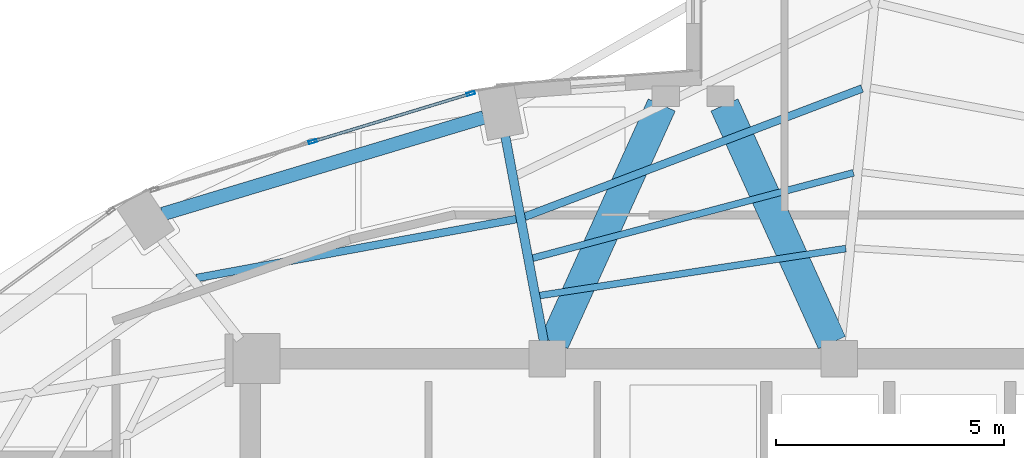
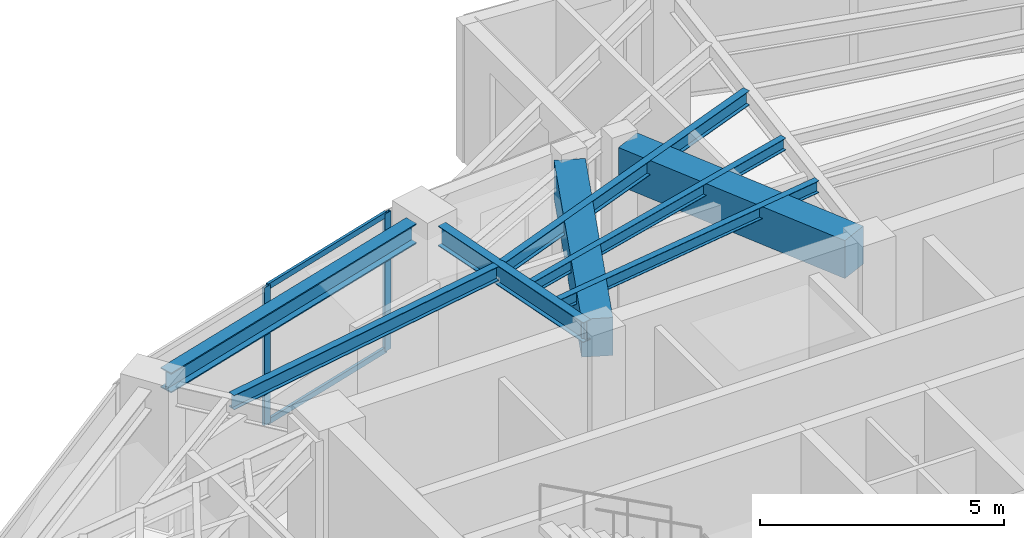
# One storey, part 11 of 23: 8 beams, 4 members, 1 element without a shape of its own.
"""IFC4 building model written with IfcOpenShell, lengths in metres."""

from ifc_helpers import new_model, si_unit, direction, frame, origin, origin_2d, place, context, subcontext, project, spatial, rectangle, hollow_rectangle, i_section, extrude, material, layer, layer_set, material_profile, profile_set, type_object, element, aggregate, save


model = new_model("IFC4")

# Units and contexts
model_context = context("Model", 3, precision=1e-05, world=origin(), true_north=direction((0.0, 1.0)))
body_context = subcontext(model_context, "Body", "Model", "MODEL_VIEW")
ifc_project = project(units=[si_unit("LENGTHUNIT", "METRE"), si_unit("AREAUNIT", "SQUARE_METRE"), si_unit("VOLUMEUNIT", "CUBIC_METRE"), si_unit("PLANEANGLEUNIT", "RADIAN"), si_unit("MASSUNIT", "GRAM", prefix="KILO")], contexts=[model_context])

# Site, building, storey
site_placement = place(None, origin())
site = spatial("IfcSite", under=ifc_project, at=site_placement, CompositionType="ELEMENT")
building_placement = place(site_placement, origin())
building = spatial("IfcBuilding", under=site, at=building_placement, Name="Lazwardi Medical Tower", CompositionType="ELEMENT")
storey_placement = place(building_placement, frame((0.0, 0.0, 231.31201171875)))
storey = spatial("IfcBuildingStorey", under=building, at=storey_placement, Name="L60", CompositionType="ELEMENT", Elevation=231.31201171875)

# Beams
ifc_material_1 = material(Name="Concrete C60/75", Category="concrete")
ifc_material_profile_1 = material_profile(ifc_material_1, rectangle(XDim=0.64990234375, YDim=0.949951171875, at=origin_2d()), Name="RC 650x950")
ifc_profile_set_1 = profile_set([ifc_material_profile_1], Name="Concrete C60/75")
beam_type_1 = type_object("IfcBeamType", Name="BM-CB-RC2", PredefinedType="LINTEL", material=ifc_profile_set_1)
for number, where, z_axis, x_axis, name in (
    (1, (32.95849609375, 35.95068359375, 2.972900390625), (0.412019279944, 0.911175127489, 0.0), (-0.911175127489, 0.412019279944, 0.0), "Core coupling lintel CB-02 PL1 L60"),
    (2, (39.04150390625, 35.95068359375, 2.972900390625), (-0.412019279944, 0.911175127489, 0.0), (-0.911175127489, -0.412019279944, 0.0), "Core coupling lintel CB-02 PL2 L60"),
):
    element("IfcBeam", number, at=place(storey_placement, frame(where, z_axis=z_axis, x_axis=x_axis)), inside=storey, type_object=beam_type_1, Name=name, PredefinedType="LINTEL", context=body_context, shape_type="SweptSolid", body=[
        extrude(rectangle(XDim=0.64990234375, YDim=0.949951171875, at=origin_2d()), origin(), (0.0, 0.0, 1.0), 5.7158203125),
    ])
ifc_material_2 = material(Name="Steel S355", Category="steel")
ifc_material_profile_2 = material_profile(ifc_material_2, i_section(OverallWidth=0.300048828125, OverallDepth=0.5, WebThickness=0.014404296875, FlangeThickness=0.028076171875, at=origin_2d()), Name="HEB 500")
ifc_profile_set_2 = profile_set([ifc_material_profile_2], Name="Steel S355")
beam_type_2 = type_object("IfcBeamType", Name="BM-RB-Z4", PredefinedType="BEAM", material=ifc_profile_set_2)
beam_1_placement = place(storey_placement, frame((31.41259765625, 40.885986328125, 3.197998046875), z_axis=(-0.957544311906, -0.288286126506, 0.0), x_axis=(0.288286126506, -0.957544311906, 0.0)))
element("IfcBeam", 3, at=beam_1_placement, inside=storey, type_object=beam_type_2, Name="Ring beam RB-05 B09 L60", PredefinedType="BEAM", context=body_context, shape_type="SweptSolid", body=[
    extrude(i_section(OverallWidth=0.300048828125, OverallDepth=0.5, WebThickness=0.014404296875, FlangeThickness=0.028076171875, at=origin_2d()), origin(), (0.0, 0.0, 1.0), 7.3515625),
])
ifc_material_profile_3 = material_profile(ifc_material_2, i_section(OverallWidth=0.199951171875, OverallDepth=0.5, WebThickness=0.01025390625, FlangeThickness=0.01611328125, at=origin_2d()), Name="IPE 500")
ifc_profile_set_3 = profile_set([ifc_material_profile_3], Name="Steel S355")
beam_type_3 = type_object("IfcBeamType", Name="BM-RG-W3", PredefinedType="BEAM", material=ifc_profile_set_3)
beam_2_placement = place(storey_placement, frame((31.884765625, 40.472412109375, 3.197998046875), z_axis=(0.184633463507, -0.982807450192, 0.0), x_axis=(0.982807450192, 0.184633463507, 0.0)))
element("IfcBeam", 4, at=beam_2_placement, inside=storey, type_object=beam_type_3, Name="Radial girder RG-04 R09 L60", PredefinedType="BEAM", context=body_context, shape_type="SweptSolid", body=[
    extrude(i_section(OverallWidth=0.199951171875, OverallDepth=0.5, WebThickness=0.01025390625, FlangeThickness=0.01611328125, at=origin_2d()), origin(), (0.0, 0.0, 1.0), 4.572509765625),
])
ifc_material_profile_4 = material_profile(ifc_material_2, i_section(OverallWidth=0.169921875, OverallDepth=0.360107421875, WebThickness=0.008056640625, FlangeThickness=0.0126953125, at=origin_2d()), Name="IPE 360")
ifc_profile_set_4 = profile_set([ifc_material_profile_4], Name="Steel S355")
beam_type_4 = type_object("IfcBeamType", Name="BM-SJ-02", PredefinedType="JOIST", material=ifc_profile_set_4)
beam_3_placement = place(storey_placement, frame((39.703125, 41.51904296875, 3.26806640625), z_axis=(-0.934714470268, -0.355399576633, 0.0), x_axis=(0.355399576633, -0.934714470268, 0.0)))
element("IfcBeam", 5, at=beam_3_placement, inside=storey, type_object=beam_type_4, Name="Secondary joist SJ-02 R2 B08 L60", PredefinedType="JOIST", context=body_context, shape_type="SweptSolid", body=[
    extrude(i_section(OverallWidth=0.169921875, OverallDepth=0.360107421875, WebThickness=0.008056640625, FlangeThickness=0.0126953125, at=origin_2d()), origin(), (0.0, 0.0, 1.0), 7.908203125),
])
beam_4_placement = place(storey_placement, frame((32.12890625, 38.65771484375, 3.26806640625), z_axis=(-0.983427965623, -0.181299300688, 0.0), x_axis=(0.181299300688, -0.983427965623, 0.0)))
element("IfcBeam", 6, at=beam_4_placement, inside=storey, type_object=beam_type_4, Name="Secondary joist SJ-02 R2 B09 L60", PredefinedType="JOIST", context=body_context, shape_type="SweptSolid", body=[
    extrude(i_section(OverallWidth=0.169921875, OverallDepth=0.360107421875, WebThickness=0.008056640625, FlangeThickness=0.0126953125, at=origin_2d()), origin(), (0.0, 0.0, 1.0), 7.127685546875),
])
ifc_material_profile_5 = material_profile(ifc_material_2, i_section(OverallWidth=0.14990234375, OverallDepth=0.300048828125, WebThickness=0.007080078125, FlangeThickness=0.0107421875, at=origin_2d()), Name="IPE 300")
ifc_profile_set_5 = profile_set([ifc_material_profile_5], Name="Steel S355")
beam_type_5 = type_object("IfcBeamType", Name="BM-SJ-03", PredefinedType="JOIST", material=ifc_profile_set_5)
beam_5_placement = place(storey_placement, frame((39.515380859375, 39.671875, 3.298095703125), z_axis=(-0.966369007826, -0.257159368316, 0.0), x_axis=(0.257159368316, -0.966369007826, 0.0)))
element("IfcBeam", 7, at=beam_5_placement, inside=storey, type_object=beam_type_5, Name="Secondary joist SJ-03 R3 B08 L60", PredefinedType="JOIST", context=body_context, shape_type="SweptSolid", body=[
    extrude(i_section(OverallWidth=0.14990234375, OverallDepth=0.300048828125, WebThickness=0.007080078125, FlangeThickness=0.0107421875, at=origin_2d()), origin(), (0.0, 0.0, 1.0), 7.27685546875),
])
beam_6_placement = place(storey_placement, frame((39.347412109375, 38.010986328125, 3.298095703125), z_axis=(-0.988433562862, -0.151654514629, 0.0), x_axis=(0.151654514629, -0.988433562862, 0.0)))
element("IfcBeam", 8, at=beam_6_placement, inside=storey, type_object=beam_type_5, Name="Secondary joist SJ-03 R4 B08 L60", PredefinedType="JOIST", context=body_context, shape_type="SweptSolid", body=[
    extrude(i_section(OverallWidth=0.14990234375, OverallDepth=0.300048828125, WebThickness=0.007080078125, FlangeThickness=0.0107421875, at=origin_2d()), origin(), (0.0, 0.0, 1.0), 6.788818359375),
])

# Curtain wall, members
ifc_material_3 = material(Name="Anodised bronze aluminium and solar control glazing", Category="aluminium")
ifc_layer = layer(ifc_material_3, 0.18994140625)
ifc_layer_set = layer_set([ifc_layer], Name="Anodised bronze aluminium and solar control glazing")
curtain_wall_type = type_object("IfcCurtainWallType", Name="CW-SYS-04", PredefinedType="NOTDEFINED", material=ifc_layer_set)
curtain_wall_placement = place(storey_placement, origin())
curtain_wall = element("IfcCurtainWall", 9, at=curtain_wall_placement, inside=storey, type_object=curtain_wall_type, Name="L60 Unitised bronze curtain wall CW-04", PredefinedType="NOTDEFINED")
ifc_material_4 = material(Name="Anodised bronze aluminium", Category="aluminium")
ifc_material_profile_6 = material_profile(ifc_material_4, hollow_rectangle(XDim=0.06494140625, YDim=0.179931640625, WallThickness=0.00390625, at=origin_2d()), Name="ALU-MULLION 180x65x4")
ifc_profile_set_6 = profile_set([ifc_material_profile_6], Name="Anodised bronze aluminium")
member_type_1 = type_object("IfcMemberType", Name="CW-MUL-03", PredefinedType="MULLION", material=ifc_profile_set_6)
member_1_placement = place(storey_placement, frame((31.126953125, 41.406982421875, 0.0), z_axis=(0.0, 0.0, 1.0), x_axis=(0.290581889515, -0.956850126972, 0.0)))
member_1 = element("IfcMember", 10, at=member_1_placement, type_object=member_type_1, Name="CW-04 mullion 1", PredefinedType="MULLION", context=body_context, shape_type="SweptSolid", body=[
    extrude(hollow_rectangle(XDim=0.06494140625, YDim=0.179931640625, WallThickness=0.00390625, at=origin_2d()), origin(), (0.0, 0.0, 1.0), 3.447998046875),
])
member_2_placement = place(storey_placement, frame((27.66357421875, 40.355224609375, 0.0), z_axis=(0.0, 0.0, 1.0), x_axis=(0.290581889515, -0.956850126972, 0.0)))
member_2 = element("IfcMember", 11, at=member_2_placement, type_object=member_type_1, Name="CW-04 mullion 2", PredefinedType="MULLION", context=body_context, shape_type="SweptSolid", body=[
    extrude(hollow_rectangle(XDim=0.06494140625, YDim=0.179931640625, WallThickness=0.00390625, at=origin_2d()), origin(), (0.0, 0.0, 1.0), 3.447998046875),
])
ifc_material_profile_7 = material_profile(ifc_material_4, hollow_rectangle(XDim=0.06494140625, YDim=0.139892578125, WallThickness=0.00341796875, at=origin_2d()), Name="ALU-TRANSOM 140x65x3.5")
ifc_profile_set_7 = profile_set([ifc_material_profile_7], Name="Anodised bronze aluminium")
member_type_2 = type_object("IfcMemberType", Name="CW-TRN-03", PredefinedType="USERDEFINED", material=ifc_profile_set_7)
member_3_placement = place(storey_placement, frame((31.095703125, 41.397705078125, 0.032470703125), z_axis=(-0.956843409009, -0.290604010015, 0.0), x_axis=(0.290604010015, -0.956843409009, 0.0)))
member_3 = element("IfcMember", 12, at=member_3_placement, type_object=member_type_2, Name="CW-04 transom 1.1", ObjectType="TRANSOM", PredefinedType="USERDEFINED", context=body_context, shape_type="SweptSolid", body=[
    extrude(hollow_rectangle(XDim=0.06494140625, YDim=0.139892578125, WallThickness=0.00341796875, at=origin_2d()), origin(), (0.0, 0.0, 1.0), 3.554443359375),
])
member_4_placement = place(storey_placement, frame((31.095703125, 41.397705078125, 3.41552734375), z_axis=(-0.956843409009, -0.290604010015, 0.0), x_axis=(0.290604010015, -0.956843409009, 0.0)))
member_4 = element("IfcMember", 13, at=member_4_placement, type_object=member_type_2, Name="CW-04 transom 1.2", ObjectType="TRANSOM", PredefinedType="USERDEFINED", context=body_context, shape_type="SweptSolid", body=[
    extrude(hollow_rectangle(XDim=0.06494140625, YDim=0.139892578125, WallThickness=0.00341796875, at=origin_2d()), origin(), (0.0, 0.0, 1.0), 3.554443359375),
])
aggregate(curtain_wall, [member_1, member_2, member_3, member_4])

save(model, "model.ifc")
